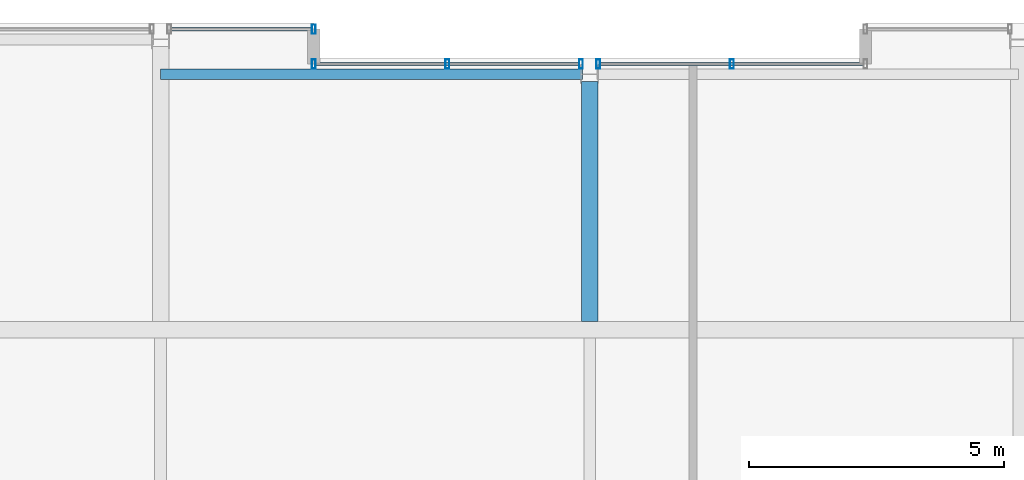
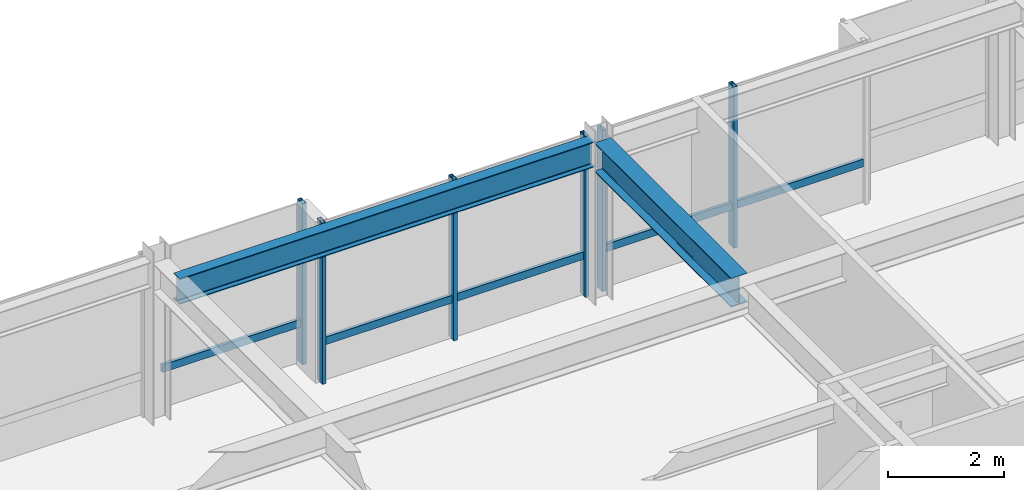
# One storey, part 23 of 33: 9 members, 2 beams, 3 elements without a shape of their own.
"""IFC4 building model written with IfcOpenShell, lengths in metres."""

from ifc_helpers import new_model, si_unit, direction, frame, origin, origin_2d, place, context, subcontext, project, spatial, hollow_rectangle, i_section, extrude, material, layer, layer_set, material_profile, profile_set, type_object, element, aggregate, save


model = new_model("IFC4")

# Units and contexts
model_context = context("Model", 3, precision=1e-05, world=origin(), true_north=direction((0.0, 1.0)))
body_context = subcontext(model_context, "Body", "Model", "MODEL_VIEW")
ifc_project = project(units=[si_unit("LENGTHUNIT", "METRE"), si_unit("AREAUNIT", "SQUARE_METRE"), si_unit("VOLUMEUNIT", "CUBIC_METRE"), si_unit("PLANEANGLEUNIT", "RADIAN"), si_unit("MASSUNIT", "GRAM", prefix="KILO")], contexts=[model_context])

# Site, building, storey
site_placement = place(None, origin())
site = spatial("IfcSite", under=ifc_project, at=site_placement, CompositionType="ELEMENT")
building_placement = place(site_placement, origin())
building = spatial("IfcBuilding", under=site, at=building_placement, Name="Drelvath Grand Hotel", CompositionType="ELEMENT")
storey_placement = place(building_placement, frame((0.0, 0.0, 283.25)))
storey = spatial("IfcBuildingStorey", under=building, at=storey_placement, Name="L74", CompositionType="ELEMENT", Elevation=283.25)

# Curtain wall, member
ifc_material_1 = material(Name="Platinum-Mist Anodised Aluminium Frame", Category="aluminium")
ifc_layer = layer(ifc_material_1, 0.199951171875)
ifc_layer_set = layer_set([ifc_layer], Name="Platinum-Mist Anodised Aluminium Frame")
curtain_wall_type = type_object("IfcCurtainWallType", Name="Stick Curtain Wall CW-05 Platinum Mist High-Rise", PredefinedType="NOTDEFINED", material=ifc_layer_set)
curtain_wall_1_placement = place(storey_placement, origin())
curtain_wall_1 = element("IfcCurtainWall", 1, at=curtain_wall_1_placement, inside=storey, type_object=curtain_wall_type, Name="L74 CW-05 Curtain Wall CW05-L74-NW2", PredefinedType="NOTDEFINED")
ifc_material_profile_1 = material_profile(ifc_material_1, hollow_rectangle(XDim=0.06494140625, YDim=0.159912109375, WallThickness=0.00390625, at=origin_2d()), Name="HSS160X65X4")
ifc_profile_set_1 = profile_set([ifc_material_profile_1], Name="Platinum-Mist Anodised Aluminium Frame")
member_type_1 = type_object("IfcMemberType", Name="Curtain Wall Horizontal Transom CW-05 HSS160X65X4", PredefinedType="USERDEFINED", material=ifc_profile_set_1)
member_1_placement = place(storey_placement, frame((-8.18994140625, 49.080078125, 0.847412109375), z_axis=(1.0, 0.0, 0.0), x_axis=(0.0, 1.0, 0.0)))
member_1 = element("IfcMember", 2, at=member_1_placement, type_object=member_type_1, Name="CW05-L74-NW2 Sill Transom", ObjectType="TRANSOM", PredefinedType="USERDEFINED", context=body_context, shape_type="SweptSolid", body=[
    extrude(hollow_rectangle(XDim=0.06494140625, YDim=0.159912109375, WallThickness=0.00390625, at=origin_2d()), origin(), (0.0, 0.0, 1.0), 2.75),
])

curtain_wall_2_placement = place(storey_placement, origin())
curtain_wall_2 = element("IfcCurtainWall", 3, at=curtain_wall_2_placement, inside=storey, type_object=curtain_wall_type, Name="L74 CW-05 Curtain Wall CW05-L74-NM1", PredefinedType="NOTDEFINED")
member_2_placement = place(storey_placement, frame((-5.360107421875, 48.39990234375, 0.847412109375), z_axis=(1.0, 0.0, 0.0), x_axis=(0.0, 1.0, 0.0)))
member_2 = element("IfcMember", 4, at=member_2_placement, type_object=member_type_1, Name="CW05-L74-NM1 Sill Transom", ObjectType="TRANSOM", PredefinedType="USERDEFINED", context=body_context, shape_type="SweptSolid", body=[
    extrude(hollow_rectangle(XDim=0.06494140625, YDim=0.159912109375, WallThickness=0.00390625, at=origin_2d()), origin(), (0.0, 0.0, 1.0), 5.14990234375),
])

curtain_wall_3_placement = place(storey_placement, origin())
curtain_wall_3 = element("IfcCurtainWall", 5, at=curtain_wall_3_placement, inside=storey, type_object=curtain_wall_type, Name="L74 CW-05 Curtain Wall CW05-L74-NM2", PredefinedType="NOTDEFINED")
member_3_placement = place(storey_placement, frame((0.210205078125, 48.39990234375, 0.847412109375), z_axis=(1.0, 0.0, 0.0), x_axis=(0.0, 1.0, 0.0)))
member_3 = element("IfcMember", 6, at=member_3_placement, type_object=member_type_1, Name="CW05-L74-NM2 Sill Transom", ObjectType="TRANSOM", PredefinedType="USERDEFINED", context=body_context, shape_type="SweptSolid", body=[
    extrude(hollow_rectangle(XDim=0.06494140625, YDim=0.159912109375, WallThickness=0.00390625, at=origin_2d()), origin(), (0.0, 0.0, 1.0), 5.14990234375),
])

# Member
ifc_material_profile_2 = material_profile(ifc_material_1, hollow_rectangle(XDim=0.074951171875, YDim=0.179931640625, WallThickness=0.0048828125, at=origin_2d()), Name="HSS180X75X5")
ifc_profile_set_2 = profile_set([ifc_material_profile_2], Name="Platinum-Mist Anodised Aluminium Frame")
member_type_2 = type_object("IfcMemberType", Name="Curtain Wall Vertical Mullion CW-05 HSS180X75X5", PredefinedType="MULLION", material=ifc_profile_set_2)
member_4_placement = place(storey_placement, frame((-5.39990234375, 49.080078125, 0.0), z_axis=(0.0, 0.0, 1.0), x_axis=(1.0, 0.0, 0.0)))
member_4 = element("IfcMember", 7, at=member_4_placement, type_object=member_type_2, Name="CW05-L74-NW2 Mullion 2", PredefinedType="MULLION", context=body_context, shape_type="SweptSolid", body=[
    extrude(hollow_rectangle(XDim=0.074951171875, YDim=0.179931640625, WallThickness=0.0048828125, at=origin_2d()), origin(), (0.0, 0.0, 1.0), 3.389892578125),
])

aggregate(curtain_wall_1, [member_4, member_1])

member_5_placement = place(storey_placement, frame((-5.39990234375, 48.39990234375, 0.0), z_axis=(0.0, 0.0, 1.0), x_axis=(1.0, 0.0, 0.0)))
member_5 = element("IfcMember", 8, at=member_5_placement, type_object=member_type_2, Name="CW05-L74-NM1 Mullion 1", PredefinedType="MULLION", context=body_context, shape_type="SweptSolid", body=[
    extrude(hollow_rectangle(XDim=0.074951171875, YDim=0.179931640625, WallThickness=0.0048828125, at=origin_2d()), origin(), (0.0, 0.0, 1.0), 3.389892578125),
])

member_6_placement = place(storey_placement, frame((-2.78515625, 48.39990234375, 0.0), z_axis=(0.0, 0.0, 1.0), x_axis=(1.0, 0.0, 0.0)))
member_6 = element("IfcMember", 9, at=member_6_placement, type_object=member_type_2, Name="CW05-L74-NM1 Mullion 2", PredefinedType="MULLION", context=body_context, shape_type="SweptSolid", body=[
    extrude(hollow_rectangle(XDim=0.074951171875, YDim=0.179931640625, WallThickness=0.0048828125, at=origin_2d()), origin(), (0.0, 0.0, 1.0), 3.389892578125),
])

member_7_placement = place(storey_placement, frame((-0.170166015625, 48.39990234375, 0.0), z_axis=(0.0, 0.0, 1.0), x_axis=(1.0, 0.0, 0.0)))
member_7 = element("IfcMember", 10, at=member_7_placement, type_object=member_type_2, Name="CW05-L74-NM1 Mullion 3", PredefinedType="MULLION", context=body_context, shape_type="SweptSolid", body=[
    extrude(hollow_rectangle(XDim=0.074951171875, YDim=0.179931640625, WallThickness=0.0048828125, at=origin_2d()), origin(), (0.0, 0.0, 1.0), 3.389892578125),
])

aggregate(curtain_wall_2, [member_5, member_6, member_7, member_2])

member_8_placement = place(storey_placement, frame((0.170166015625, 48.39990234375, 0.0), z_axis=(0.0, 0.0, 1.0), x_axis=(1.0, 0.0, 0.0)))
member_8 = element("IfcMember", 11, at=member_8_placement, type_object=member_type_2, Name="CW05-L74-NM2 Mullion 1", PredefinedType="MULLION", context=body_context, shape_type="SweptSolid", body=[
    extrude(hollow_rectangle(XDim=0.074951171875, YDim=0.179931640625, WallThickness=0.0048828125, at=origin_2d()), origin(), (0.0, 0.0, 1.0), 3.389892578125),
])

member_9_placement = place(storey_placement, frame((2.78515625, 48.39990234375, 0.0), z_axis=(0.0, 0.0, 1.0), x_axis=(1.0, 0.0, 0.0)))
member_9 = element("IfcMember", 12, at=member_9_placement, type_object=member_type_2, Name="CW05-L74-NM2 Mullion 2", PredefinedType="MULLION", context=body_context, shape_type="SweptSolid", body=[
    extrude(hollow_rectangle(XDim=0.074951171875, YDim=0.179931640625, WallThickness=0.0048828125, at=origin_2d()), origin(), (0.0, 0.0, 1.0), 3.389892578125),
])

aggregate(curtain_wall_3, [member_8, member_9, member_3])

# Beams
ifc_material_2 = material(Name="Steel ASTM A992 Gr 50", Category="steel")
ifc_material_profile_3 = material_profile(ifc_material_2, i_section(OverallWidth=0.210205078125, OverallDepth=0.53662109375, WebThickness=0.010986328125, FlangeThickness=0.017333984375, FilletRadius=0.01806640625, at=origin_2d()), Name="W21X68")
ifc_profile_set_3 = profile_set([ifc_material_profile_3], Name="Steel ASTM A992 Gr 50")
beam_type_1 = type_object("IfcBeamType", Name="Perimeter Spandrel Beam W21X68", PredefinedType="SPANDREL", material=ifc_profile_set_3)
beam_1_placement = place(storey_placement, frame((-8.39990234375, 48.199951171875, 3.12158203125), z_axis=(1.0, 0.0, 0.0), x_axis=(0.0, 1.0, 0.0)))
element("IfcBeam", 13, at=beam_1_placement, inside=storey, type_object=beam_type_1, Name="L74 Spandrel North Mid W", PredefinedType="SPANDREL", context=body_context, shape_type="SweptSolid", body=[
    extrude(i_section(OverallWidth=0.210205078125, OverallDepth=0.53662109375, WebThickness=0.010986328125, FlangeThickness=0.017333984375, FilletRadius=0.01806640625, at=origin_2d()), origin(), (0.0, 0.0, 1.0), 8.260009765625),
])
ifc_material_profile_4 = material_profile(ifc_material_2, i_section(OverallWidth=0.323974609375, OverallDepth=0.611083984375, WebThickness=0.0126953125, FlangeThickness=0.01904296875, FilletRadius=0.02197265625, at=origin_2d()), Name="W24X104")
ifc_profile_set_4 = profile_set([ifc_material_profile_4], Name="Steel ASTM A992 Gr 50")
beam_type_2 = type_object("IfcBeamType", Name="Primary Floor Girder W24X104", PredefinedType="BEAM", material=ifc_profile_set_4)
beam_2_placement = place(storey_placement, frame((0.0, 43.362060546875, 3.08447265625), z_axis=(0.0, 1.0, 0.0), x_axis=(-1.0, 0.0, 0.0)))
element("IfcBeam", 14, at=beam_2_placement, inside=storey, type_object=beam_type_2, Name="L74 North Wing Girder 5", PredefinedType="BEAM", context=body_context, shape_type="SweptSolid", body=[
    extrude(i_section(OverallWidth=0.323974609375, OverallDepth=0.611083984375, WebThickness=0.0126953125, FlangeThickness=0.01904296875, FilletRadius=0.02197265625, at=origin_2d()), origin(), (0.0, 0.0, 1.0), 4.697998046875),
])

save(model, "model.ifc")
